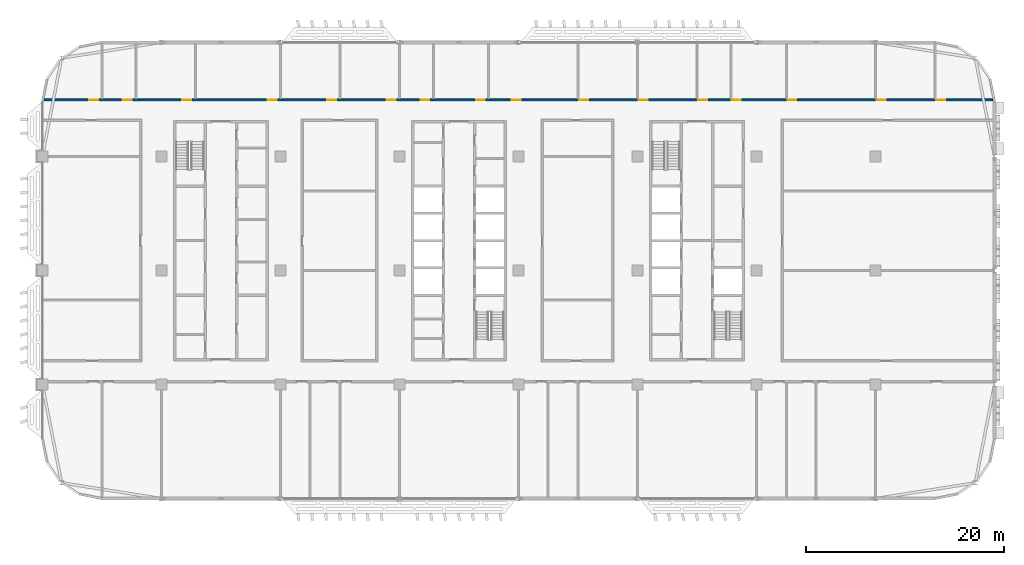
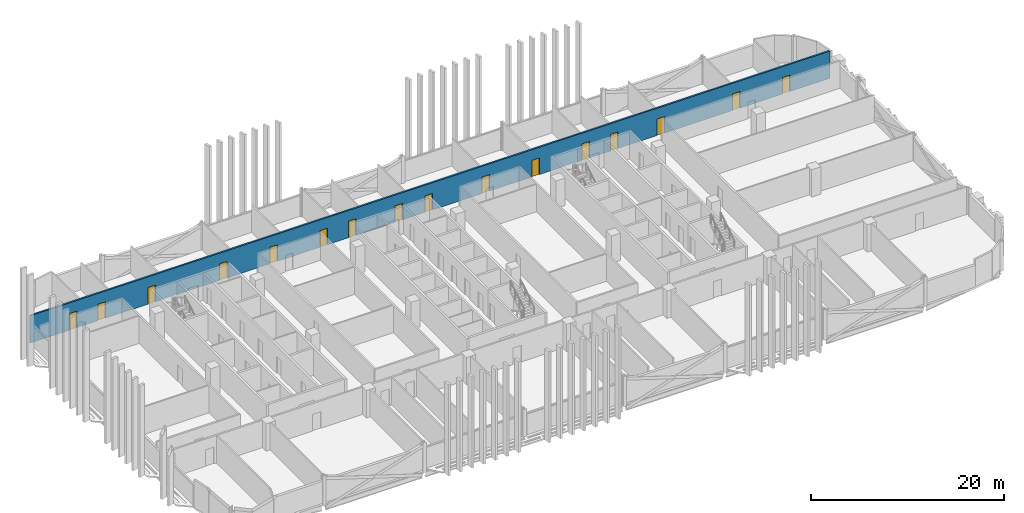
# One storey, part 16 of 30: 16 doors, 1 wall, 16 openings.
"""IFC4 building model written with IfcOpenShell, lengths in metres."""

from ifc_helpers import new_model, si_unit, direction, frame, frame_2d, origin, place, context, subcontext, project, spatial, rectangle, extrude, material, layer, layer_set, type_object, element, fill, save


model = new_model("IFC4")

# Units and contexts
model_context = context("Model", 3, precision=1e-05, world=origin(), true_north=direction((0.0, 1.0)))
body_context = subcontext(model_context, "Body", "Model", "MODEL_VIEW")
ifc_project = project(units=[si_unit("LENGTHUNIT", "METRE"), si_unit("AREAUNIT", "SQUARE_METRE"), si_unit("VOLUMEUNIT", "CUBIC_METRE"), si_unit("PLANEANGLEUNIT", "RADIAN"), si_unit("MASSUNIT", "GRAM", prefix="KILO")], contexts=[model_context])

# Site, building, storey
site_placement = place(None, origin())
site = spatial("IfcSite", under=ifc_project, at=site_placement, CompositionType="ELEMENT")
building_placement = place(site_placement, origin())
building = spatial("IfcBuilding", under=site, at=building_placement, Name="Mahtab Terrace Research Tower", CompositionType="ELEMENT")
storey_placement = place(building_placement, frame((0.0, 0.0, 209.10009765625)))
storey = spatial("IfcBuildingStorey", under=building, at=storey_placement, Name="L50", CompositionType="ELEMENT", Elevation=209.10009765625)

# Wall, openings, doors
ifc_material_1 = material(Name="Gypsum board corridor wall on steel studs", Category="steel")
ifc_layer = layer(ifc_material_1, 0.199951171875)
ifc_layer_set = layer_set([ifc_layer], Name="WALL CORRIDOR 200")
wall_type = type_object("IfcWallType", Name="WALL CORRIDOR 200", PredefinedType="PARTITIONING", material=ifc_layer_set)
wall_placement = place(storey_placement, frame((-41.97509765625, 17.199951171875, 0.0), z_axis=(0.0, 0.0, 1.0), x_axis=(1.0, 0.0, 0.0)))
wall = element("IfcWall", 1, at=wall_placement, inside=storey, type_object=wall_type, Name="L50-W026", PredefinedType="PARTITIONING", context=body_context, shape_type="SweptSolid", body=[
    extrude(rectangle(XDim=95.782470703125, YDim=0.199951171875, at=frame_2d((47.89111328125, 0.0))), origin(), (0.0, 0.0, 1.0), 3.4599609375),
])
opening_1_placement = place(wall_placement, frame((4.699951171875, 0.0, 0.0)))
opening_1 = element("IfcOpeningElement", 2, at=opening_1_placement, cuts=wall, Name="Opening L50-128", PredefinedType="OPENING", context=body_context, shape_type="SweptSolid", body=[
    extrude(rectangle(XDim=0.89990234375, YDim=2.10009765625, at=frame_2d((0.449951171875, 1.050048828125))), frame((0.0, 0.10986328125, 0.0), z_axis=(0.0, -1.0, 0.0), x_axis=(1.0, 0.0, 0.0)), (0.0, 0.0, 1.0), 0.219970703125),
])
opening_2_placement = place(wall_placement, frame((8.10009765625, 0.0, 0.0)))
opening_2 = element("IfcOpeningElement", 3, at=opening_2_placement, cuts=wall, Name="Opening L50-129", PredefinedType="OPENING", context=body_context, shape_type="SweptSolid", body=[
    extrude(rectangle(XDim=0.89990234375, YDim=2.10009765625, at=frame_2d((0.449951171875, 1.050048828125))), frame((0.0, 0.10986328125, 0.0), z_axis=(0.0, -1.0, 0.0), x_axis=(1.0, 0.0, 0.0)), (0.0, 0.0, 1.0), 0.219970703125),
])
opening_3_placement = place(wall_placement, frame((14.10009765625, 0.0, 0.0)))
opening_3 = element("IfcOpeningElement", 4, at=opening_3_placement, cuts=wall, Name="Opening L50-130", PredefinedType="OPENING", context=body_context, shape_type="SweptSolid", body=[
    extrude(rectangle(XDim=0.89990234375, YDim=2.10009765625, at=frame_2d((0.449951171875, 1.050048828125))), frame((0.0, 0.10986328125, 0.0), z_axis=(0.0, -1.0, 0.0), x_axis=(1.0, 0.0, 0.0)), (0.0, 0.0, 1.0), 0.219970703125),
])
opening_4_placement = place(wall_placement, frame((22.699951171875, 0.0, 0.0)))
opening_4 = element("IfcOpeningElement", 5, at=opening_4_placement, cuts=wall, Name="Opening L50-131", PredefinedType="OPENING", context=body_context, shape_type="SweptSolid", body=[
    extrude(rectangle(XDim=0.89990234375, YDim=2.10009765625, at=frame_2d((0.449951171875, 1.050048828125))), frame((0.0, 0.10986328125, 0.0), z_axis=(0.0, -1.0, 0.0), x_axis=(1.0, 0.0, 0.0)), (0.0, 0.0, 1.0), 0.219970703125),
])
opening_5_placement = place(wall_placement, frame((28.699951171875, 0.0, 0.0)))
opening_5 = element("IfcOpeningElement", 6, at=opening_5_placement, cuts=wall, Name="Opening L50-132", PredefinedType="OPENING", context=body_context, shape_type="SweptSolid", body=[
    extrude(rectangle(XDim=0.89990234375, YDim=2.10009765625, at=frame_2d((0.449951171875, 1.050048828125))), frame((0.0, 0.10986328125, 0.0), z_axis=(0.0, -1.0, 0.0), x_axis=(1.0, 0.0, 0.0)), (0.0, 0.0, 1.0), 0.219970703125),
])
opening_6_placement = place(wall_placement, frame((34.699951171875, 0.0, 0.0)))
opening_6 = element("IfcOpeningElement", 7, at=opening_6_placement, cuts=wall, Name="Opening L50-133", PredefinedType="OPENING", context=body_context, shape_type="SweptSolid", body=[
    extrude(rectangle(XDim=0.89990234375, YDim=2.10009765625, at=frame_2d((0.449951171875, 1.050048828125))), frame((0.0, 0.10986328125, 0.0), z_axis=(0.0, -1.0, 0.0), x_axis=(1.0, 0.0, 0.0)), (0.0, 0.0, 1.0), 0.219970703125),
])
opening_7_placement = place(wall_placement, frame((38.10009765625, 0.0, 0.0)))
opening_7 = element("IfcOpeningElement", 8, at=opening_7_placement, cuts=wall, Name="Opening L50-134", PredefinedType="OPENING", context=body_context, shape_type="SweptSolid", body=[
    extrude(rectangle(XDim=0.89990234375, YDim=2.10009765625, at=frame_2d((0.449951171875, 1.050048828125))), frame((0.0, 0.10986328125, 0.0), z_axis=(0.0, -1.0, 0.0), x_axis=(1.0, 0.0, 0.0)), (0.0, 0.0, 1.0), 0.219970703125),
])
opening_8_placement = place(wall_placement, frame((43.699951171875, 0.0, 0.0)))
opening_8 = element("IfcOpeningElement", 9, at=opening_8_placement, cuts=wall, Name="Opening L50-135", PredefinedType="OPENING", context=body_context, shape_type="SweptSolid", body=[
    extrude(rectangle(XDim=0.89990234375, YDim=2.10009765625, at=frame_2d((0.449951171875, 1.050048828125))), frame((0.0, 0.10986328125, 0.0), z_axis=(0.0, -1.0, 0.0), x_axis=(1.0, 0.0, 0.0)), (0.0, 0.0, 1.0), 0.219970703125),
])
opening_9_placement = place(wall_placement, frame((47.300048828125, 0.0, 0.0)))
opening_9 = element("IfcOpeningElement", 10, at=opening_9_placement, cuts=wall, Name="Opening L50-136", PredefinedType="OPENING", context=body_context, shape_type="SweptSolid", body=[
    extrude(rectangle(XDim=0.89990234375, YDim=2.10009765625, at=frame_2d((0.449951171875, 1.050048828125))), frame((0.0, 0.10986328125, 0.0), z_axis=(0.0, -1.0, 0.0), x_axis=(1.0, 0.0, 0.0)), (0.0, 0.0, 1.0), 0.219970703125),
])
opening_10_placement = place(wall_placement, frame((54.10009765625, 0.0, 0.0)))
opening_10 = element("IfcOpeningElement", 11, at=opening_10_placement, cuts=wall, Name="Opening L50-137", PredefinedType="OPENING", context=body_context, shape_type="SweptSolid", body=[
    extrude(rectangle(XDim=0.89990234375, YDim=2.10009765625, at=frame_2d((0.449951171875, 1.050048828125))), frame((0.0, 0.10986328125, 0.0), z_axis=(0.0, -1.0, 0.0), x_axis=(1.0, 0.0, 0.0)), (0.0, 0.0, 1.0), 0.219970703125),
])
opening_11_placement = place(wall_placement, frame((60.10009765625, 0.0, 0.0)))
opening_11 = element("IfcOpeningElement", 12, at=opening_11_placement, cuts=wall, Name="Opening L50-138", PredefinedType="OPENING", context=body_context, shape_type="SweptSolid", body=[
    extrude(rectangle(XDim=0.89990234375, YDim=2.10009765625, at=frame_2d((0.449951171875, 1.050048828125))), frame((0.0, 0.10986328125, 0.0), z_axis=(0.0, -1.0, 0.0), x_axis=(1.0, 0.0, 0.0)), (0.0, 0.0, 1.0), 0.219970703125),
])
opening_12_placement = place(wall_placement, frame((66.10009765625, 0.0, 0.0)))
opening_12 = element("IfcOpeningElement", 13, at=opening_12_placement, cuts=wall, Name="Opening L50-139", PredefinedType="OPENING", context=body_context, shape_type="SweptSolid", body=[
    extrude(rectangle(XDim=0.89990234375, YDim=2.10009765625, at=frame_2d((0.449951171875, 1.050048828125))), frame((0.0, 0.10986328125, 0.0), z_axis=(0.0, -1.0, 0.0), x_axis=(1.0, 0.0, 0.0)), (0.0, 0.0, 1.0), 0.219970703125),
])
opening_13_placement = place(wall_placement, frame((69.5, 0.0, 0.0)))
opening_13 = element("IfcOpeningElement", 14, at=opening_13_placement, cuts=wall, Name="Opening L50-140", PredefinedType="OPENING", context=body_context, shape_type="SweptSolid", body=[
    extrude(rectangle(XDim=0.89990234375, YDim=2.10009765625, at=frame_2d((0.449951171875, 1.050048828125))), frame((0.0, 0.10986328125, 0.0), z_axis=(0.0, -1.0, 0.0), x_axis=(1.0, 0.0, 0.0)), (0.0, 0.0, 1.0), 0.219970703125),
])
opening_14_placement = place(wall_placement, frame((75.10009765625, 0.0, 0.0)))
opening_14 = element("IfcOpeningElement", 15, at=opening_14_placement, cuts=wall, Name="Opening L50-141", PredefinedType="OPENING", context=body_context, shape_type="SweptSolid", body=[
    extrude(rectangle(XDim=0.89990234375, YDim=2.10009765625, at=frame_2d((0.449951171875, 1.050048828125))), frame((0.0, 0.10986328125, 0.0), z_axis=(0.0, -1.0, 0.0), x_axis=(1.0, 0.0, 0.0)), (0.0, 0.0, 1.0), 0.219970703125),
])
opening_15_placement = place(wall_placement, frame((84.10009765625, 0.0, 0.0)))
opening_15 = element("IfcOpeningElement", 16, at=opening_15_placement, cuts=wall, Name="Opening L50-142", PredefinedType="OPENING", context=body_context, shape_type="SweptSolid", body=[
    extrude(rectangle(XDim=0.89990234375, YDim=2.10009765625, at=frame_2d((0.449951171875, 1.050048828125))), frame((0.0, 0.10986328125, 0.0), z_axis=(0.0, -1.0, 0.0), x_axis=(1.0, 0.0, 0.0)), (0.0, 0.0, 1.0), 0.219970703125),
])
opening_16_placement = place(wall_placement, frame((90.10009765625, 0.0, 0.0)))
opening_16 = element("IfcOpeningElement", 17, at=opening_16_placement, cuts=wall, Name="Opening L50-143", PredefinedType="OPENING", context=body_context, shape_type="SweptSolid", body=[
    extrude(rectangle(XDim=0.89990234375, YDim=2.10009765625, at=frame_2d((0.449951171875, 1.050048828125))), frame((0.0, 0.10986328125, 0.0), z_axis=(0.0, -1.0, 0.0), x_axis=(1.0, 0.0, 0.0)), (0.0, 0.0, 1.0), 0.219970703125),
])
ifc_material_2 = material(Name="Timber door leaf in steel frame", Category="steel")
door_type = type_object("IfcDoorType", Name="DOOR 0900X2100 FD30S", OperationType="SINGLE_SWING_LEFT", PredefinedType="DOOR", material=ifc_material_2)
door_1_placement = place(opening_1_placement, origin())
door_1 = element("IfcDoor", 18, at=door_1_placement, inside=storey, type_object=door_type, Name="Door L50-128", OperationType="SINGLE_SWING_LEFT", OverallHeight=2.10009765625, OverallWidth=0.89990234375, PredefinedType="DOOR", context=body_context, shape_type="SweptSolid", body=[
    extrude(rectangle(XDim=0.89990234375, YDim=2.10009765625, at=frame_2d((0.449951171875, 1.050048828125))), frame((0.0, 0.02490234375, 0.0), z_axis=(0.0, -1.0, 0.0), x_axis=(1.0, 0.0, 0.0)), (0.0, 0.0, 1.0), 0.050048828125),
])
fill(opening_1, door_1)
door_2_placement = place(opening_2_placement, origin())
door_2 = element("IfcDoor", 19, at=door_2_placement, inside=storey, type_object=door_type, Name="Door L50-129", OperationType="SINGLE_SWING_LEFT", OverallHeight=2.10009765625, OverallWidth=0.89990234375, PredefinedType="DOOR", context=body_context, shape_type="SweptSolid", body=[
    extrude(rectangle(XDim=0.89990234375, YDim=2.10009765625, at=frame_2d((0.449951171875, 1.050048828125))), frame((0.0, 0.02490234375, 0.0), z_axis=(0.0, -1.0, 0.0), x_axis=(1.0, 0.0, 0.0)), (0.0, 0.0, 1.0), 0.050048828125),
])
fill(opening_2, door_2)
door_3_placement = place(opening_3_placement, origin())
door_3 = element("IfcDoor", 20, at=door_3_placement, inside=storey, type_object=door_type, Name="Door L50-130", OperationType="SINGLE_SWING_LEFT", OverallHeight=2.10009765625, OverallWidth=0.89990234375, PredefinedType="DOOR", context=body_context, shape_type="SweptSolid", body=[
    extrude(rectangle(XDim=0.89990234375, YDim=2.10009765625, at=frame_2d((0.449951171875, 1.050048828125))), frame((0.0, 0.02490234375, 0.0), z_axis=(0.0, -1.0, 0.0), x_axis=(1.0, 0.0, 0.0)), (0.0, 0.0, 1.0), 0.050048828125),
])
fill(opening_3, door_3)
door_4_placement = place(opening_4_placement, origin())
door_4 = element("IfcDoor", 21, at=door_4_placement, inside=storey, type_object=door_type, Name="Door L50-131", OperationType="SINGLE_SWING_LEFT", OverallHeight=2.10009765625, OverallWidth=0.89990234375, PredefinedType="DOOR", context=body_context, shape_type="SweptSolid", body=[
    extrude(rectangle(XDim=0.89990234375, YDim=2.10009765625, at=frame_2d((0.449951171875, 1.050048828125))), frame((0.0, 0.02490234375, 0.0), z_axis=(0.0, -1.0, 0.0), x_axis=(1.0, 0.0, 0.0)), (0.0, 0.0, 1.0), 0.050048828125),
])
fill(opening_4, door_4)
door_5_placement = place(opening_5_placement, origin())
door_5 = element("IfcDoor", 22, at=door_5_placement, inside=storey, type_object=door_type, Name="Door L50-132", OperationType="SINGLE_SWING_LEFT", OverallHeight=2.10009765625, OverallWidth=0.89990234375, PredefinedType="DOOR", context=body_context, shape_type="SweptSolid", body=[
    extrude(rectangle(XDim=0.89990234375, YDim=2.10009765625, at=frame_2d((0.449951171875, 1.050048828125))), frame((0.0, 0.02490234375, 0.0), z_axis=(0.0, -1.0, 0.0), x_axis=(1.0, 0.0, 0.0)), (0.0, 0.0, 1.0), 0.050048828125),
])
fill(opening_5, door_5)
door_6_placement = place(opening_6_placement, origin())
door_6 = element("IfcDoor", 23, at=door_6_placement, inside=storey, type_object=door_type, Name="Door L50-133", OperationType="SINGLE_SWING_LEFT", OverallHeight=2.10009765625, OverallWidth=0.89990234375, PredefinedType="DOOR", context=body_context, shape_type="SweptSolid", body=[
    extrude(rectangle(XDim=0.89990234375, YDim=2.10009765625, at=frame_2d((0.449951171875, 1.050048828125))), frame((0.0, 0.02490234375, 0.0), z_axis=(0.0, -1.0, 0.0), x_axis=(1.0, 0.0, 0.0)), (0.0, 0.0, 1.0), 0.050048828125),
])
fill(opening_6, door_6)
door_7_placement = place(opening_7_placement, origin())
door_7 = element("IfcDoor", 24, at=door_7_placement, inside=storey, type_object=door_type, Name="Door L50-134", OperationType="SINGLE_SWING_LEFT", OverallHeight=2.10009765625, OverallWidth=0.89990234375, PredefinedType="DOOR", context=body_context, shape_type="SweptSolid", body=[
    extrude(rectangle(XDim=0.89990234375, YDim=2.10009765625, at=frame_2d((0.449951171875, 1.050048828125))), frame((0.0, 0.02490234375, 0.0), z_axis=(0.0, -1.0, 0.0), x_axis=(1.0, 0.0, 0.0)), (0.0, 0.0, 1.0), 0.050048828125),
])
fill(opening_7, door_7)
door_8_placement = place(opening_8_placement, origin())
door_8 = element("IfcDoor", 25, at=door_8_placement, inside=storey, type_object=door_type, Name="Door L50-135", OperationType="SINGLE_SWING_LEFT", OverallHeight=2.10009765625, OverallWidth=0.89990234375, PredefinedType="DOOR", context=body_context, shape_type="SweptSolid", body=[
    extrude(rectangle(XDim=0.89990234375, YDim=2.10009765625, at=frame_2d((0.449951171875, 1.050048828125))), frame((0.0, 0.02490234375, 0.0), z_axis=(0.0, -1.0, 0.0), x_axis=(1.0, 0.0, 0.0)), (0.0, 0.0, 1.0), 0.050048828125),
])
fill(opening_8, door_8)
door_9_placement = place(opening_9_placement, origin())
door_9 = element("IfcDoor", 26, at=door_9_placement, inside=storey, type_object=door_type, Name="Door L50-136", OperationType="SINGLE_SWING_LEFT", OverallHeight=2.10009765625, OverallWidth=0.89990234375, PredefinedType="DOOR", context=body_context, shape_type="SweptSolid", body=[
    extrude(rectangle(XDim=0.89990234375, YDim=2.10009765625, at=frame_2d((0.449951171875, 1.050048828125))), frame((0.0, 0.02490234375, 0.0), z_axis=(0.0, -1.0, 0.0), x_axis=(1.0, 0.0, 0.0)), (0.0, 0.0, 1.0), 0.050048828125),
])
fill(opening_9, door_9)
door_10_placement = place(opening_10_placement, origin())
door_10 = element("IfcDoor", 27, at=door_10_placement, inside=storey, type_object=door_type, Name="Door L50-137", OperationType="SINGLE_SWING_RIGHT", OverallHeight=2.10009765625, OverallWidth=0.89990234375, PredefinedType="DOOR", context=body_context, shape_type="SweptSolid", body=[
    extrude(rectangle(XDim=0.89990234375, YDim=2.10009765625, at=frame_2d((0.449951171875, 1.050048828125))), frame((0.0, 0.02490234375, 0.0), z_axis=(0.0, -1.0, 0.0), x_axis=(1.0, 0.0, 0.0)), (0.0, 0.0, 1.0), 0.050048828125),
])
fill(opening_10, door_10)
door_11_placement = place(opening_11_placement, origin())
door_11 = element("IfcDoor", 28, at=door_11_placement, inside=storey, type_object=door_type, Name="Door L50-138", OperationType="SINGLE_SWING_RIGHT", OverallHeight=2.10009765625, OverallWidth=0.89990234375, PredefinedType="DOOR", context=body_context, shape_type="SweptSolid", body=[
    extrude(rectangle(XDim=0.89990234375, YDim=2.10009765625, at=frame_2d((0.449951171875, 1.050048828125))), frame((0.0, 0.02490234375, 0.0), z_axis=(0.0, -1.0, 0.0), x_axis=(1.0, 0.0, 0.0)), (0.0, 0.0, 1.0), 0.050048828125),
])
fill(opening_11, door_11)
door_12_placement = place(opening_12_placement, origin())
door_12 = element("IfcDoor", 29, at=door_12_placement, inside=storey, type_object=door_type, Name="Door L50-139", OperationType="SINGLE_SWING_RIGHT", OverallHeight=2.10009765625, OverallWidth=0.89990234375, PredefinedType="DOOR", context=body_context, shape_type="SweptSolid", body=[
    extrude(rectangle(XDim=0.89990234375, YDim=2.10009765625, at=frame_2d((0.449951171875, 1.050048828125))), frame((0.0, 0.02490234375, 0.0), z_axis=(0.0, -1.0, 0.0), x_axis=(1.0, 0.0, 0.0)), (0.0, 0.0, 1.0), 0.050048828125),
])
fill(opening_12, door_12)
door_13_placement = place(opening_13_placement, origin())
door_13 = element("IfcDoor", 30, at=door_13_placement, inside=storey, type_object=door_type, Name="Door L50-140", OperationType="SINGLE_SWING_RIGHT", OverallHeight=2.10009765625, OverallWidth=0.89990234375, PredefinedType="DOOR", context=body_context, shape_type="SweptSolid", body=[
    extrude(rectangle(XDim=0.89990234375, YDim=2.10009765625, at=frame_2d((0.449951171875, 1.050048828125))), frame((0.0, 0.02490234375, 0.0), z_axis=(0.0, -1.0, 0.0), x_axis=(1.0, 0.0, 0.0)), (0.0, 0.0, 1.0), 0.050048828125),
])
fill(opening_13, door_13)
door_14_placement = place(opening_14_placement, origin())
door_14 = element("IfcDoor", 31, at=door_14_placement, inside=storey, type_object=door_type, Name="Door L50-141", OperationType="SINGLE_SWING_RIGHT", OverallHeight=2.10009765625, OverallWidth=0.89990234375, PredefinedType="DOOR", context=body_context, shape_type="SweptSolid", body=[
    extrude(rectangle(XDim=0.89990234375, YDim=2.10009765625, at=frame_2d((0.449951171875, 1.050048828125))), frame((0.0, 0.02490234375, 0.0), z_axis=(0.0, -1.0, 0.0), x_axis=(1.0, 0.0, 0.0)), (0.0, 0.0, 1.0), 0.050048828125),
])
fill(opening_14, door_14)
door_15_placement = place(opening_15_placement, origin())
door_15 = element("IfcDoor", 32, at=door_15_placement, inside=storey, type_object=door_type, Name="Door L50-142", OperationType="SINGLE_SWING_RIGHT", OverallHeight=2.10009765625, OverallWidth=0.89990234375, PredefinedType="DOOR", context=body_context, shape_type="SweptSolid", body=[
    extrude(rectangle(XDim=0.89990234375, YDim=2.10009765625, at=frame_2d((0.449951171875, 1.050048828125))), frame((0.0, 0.02490234375, 0.0), z_axis=(0.0, -1.0, 0.0), x_axis=(1.0, 0.0, 0.0)), (0.0, 0.0, 1.0), 0.050048828125),
])
fill(opening_15, door_15)
door_16_placement = place(opening_16_placement, origin())
door_16 = element("IfcDoor", 33, at=door_16_placement, inside=storey, type_object=door_type, Name="Door L50-143", OperationType="SINGLE_SWING_RIGHT", OverallHeight=2.10009765625, OverallWidth=0.89990234375, PredefinedType="DOOR", context=body_context, shape_type="SweptSolid", body=[
    extrude(rectangle(XDim=0.89990234375, YDim=2.10009765625, at=frame_2d((0.449951171875, 1.050048828125))), frame((0.0, 0.02490234375, 0.0), z_axis=(0.0, -1.0, 0.0), x_axis=(1.0, 0.0, 0.0)), (0.0, 0.0, 1.0), 0.050048828125),
])
fill(opening_16, door_16)

save(model, "model.ifc")
